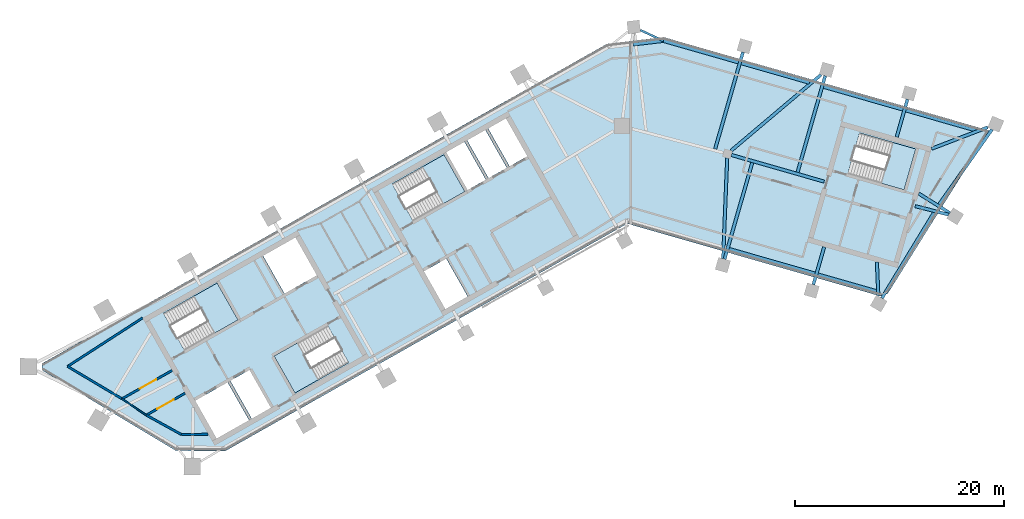
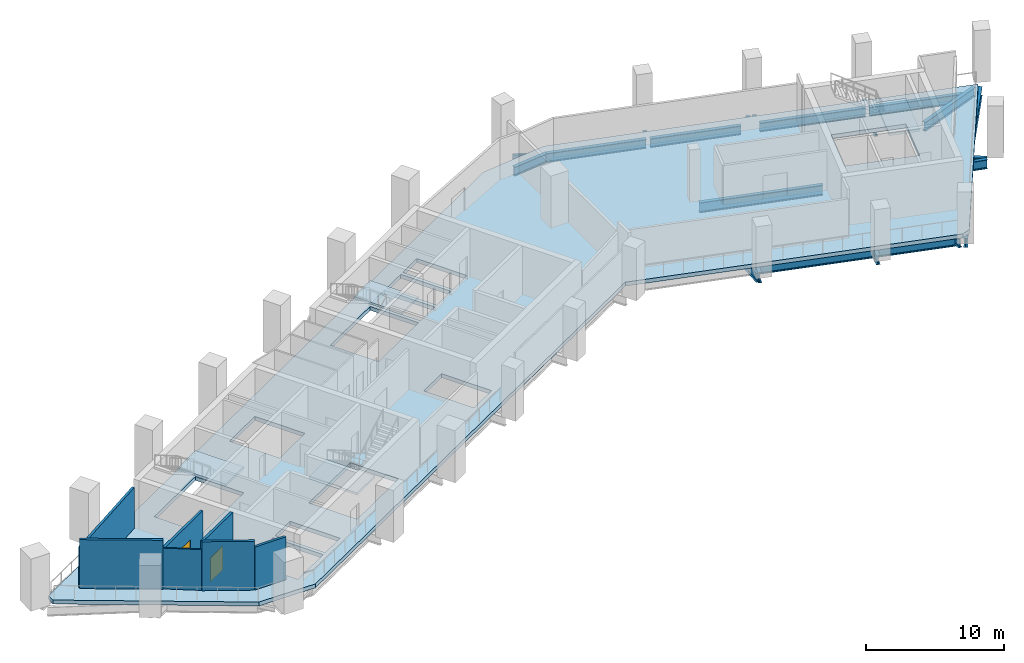
# One storey, part 2 of 8: 22 beams, 7 walls, 5 slabs, 2 doors, 2 openings, 4 elements without a shape of their own.
"""IFC4 building model written with IfcOpenShell, lengths in metres."""

from ifc_helpers import new_model, si_unit, direction, frame, frame_2d, origin, origin_2d, place, context, subcontext, project, spatial, polyline, rectangle, i_section, outline, extrude, material, layer, layer_set, material_profile, profile_set, type_object, element, fill, aggregate, save


model = new_model("IFC4")

# Units and contexts
model_context = context("Model", 3, precision=1e-05, world=origin(), true_north=direction((0.0, 1.0)))
body_context = subcontext(model_context, "Body", "Model", "MODEL_VIEW")
ifc_project = project(units=[si_unit("LENGTHUNIT", "METRE"), si_unit("AREAUNIT", "SQUARE_METRE"), si_unit("VOLUMEUNIT", "CUBIC_METRE"), si_unit("PLANEANGLEUNIT", "RADIAN"), si_unit("MASSUNIT", "GRAM", prefix="KILO")], contexts=[model_context])

# Site, building, storey
site_placement = place(None, origin())
site = spatial("IfcSite", under=ifc_project, at=site_placement, CompositionType="ELEMENT")
building_placement = place(site_placement, origin())
building = spatial("IfcBuilding", under=site, at=building_placement, Name="Binnacle Exchange Tower", CompositionType="ELEMENT")
storey_placement = place(building_placement, frame((0.0, 0.0, 202.89990234375)))
storey = spatial("IfcBuildingStorey", under=building, at=storey_placement, Name="L44", CompositionType="ELEMENT", Elevation=202.89990234375)

# Beams
ifc_material_1 = material(Name="Steel S355 (SHN355)", Category="steel")
ifc_material_profile_1 = material_profile(ifc_material_1, i_section(OverallWidth=0.300048828125, OverallDepth=0.800048828125, WebThickness=0.013916015625, FlangeThickness=0.02587890625, FilletRadius=0.028076171875, at=origin_2d()), Name="H 800x300x14x26")
ifc_profile_set_1 = profile_set([ifc_material_profile_1], Name="Steel S355 (SHN355)")
beam_type_1 = type_object("IfcBeamType", Name="Edge girder H 800x300x14x26 Steel S355 (SHN355)", PredefinedType="SPANDREL", material=ifc_profile_set_1)
beam_1_placement = place(storey_placement, frame((0.244384765625, 67.796142578125, -0.75), z_axis=(0.993067190116, 0.117548100429, 0.0), x_axis=(-0.117548100429, 0.993067190116, 0.0)))
element("IfcBeam", 1, at=beam_1_placement, inside=storey, type_object=beam_type_1, Name="S:BM:edge:L44:028", PredefinedType="SPANDREL", context=body_context, shape_type="SweptSolid", body=[
    extrude(i_section(OverallWidth=0.300048828125, OverallDepth=0.800048828125, WebThickness=0.013916015625, FlangeThickness=0.02587890625, FilletRadius=0.028076171875, at=origin_2d()), origin(), (0.0, 0.0, 1.0), 2.90576171875),
])
beam_2_placement = place(storey_placement, frame((3.1298828125, 68.1376953125, -0.75), z_axis=(0.96125760514, -0.275651621726, 0.0), x_axis=(0.275651621726, 0.96125760514, 0.0)))
element("IfcBeam", 2, at=beam_2_placement, inside=storey, type_object=beam_type_1, Name="S:BM:edge:L44:029", PredefinedType="SPANDREL", context=body_context, shape_type="SweptSolid", body=[
    extrude(i_section(OverallWidth=0.300048828125, OverallDepth=0.800048828125, WebThickness=0.013916015625, FlangeThickness=0.02587890625, FilletRadius=0.028076171875, at=origin_2d()), origin(), (0.0, 0.0, 1.0), 7.449462890625),
])
beam_3_placement = place(storey_placement, frame((10.5791015625, 66.001708984375, -0.75), z_axis=(0.961253963763, -0.275664319689, 0.0), x_axis=(0.275664319689, 0.961253963763, 0.0)))
element("IfcBeam", 3, at=beam_3_placement, inside=storey, type_object=beam_type_1, Name="S:BM:edge:L44:031", PredefinedType="SPANDREL", context=body_context, shape_type="SweptSolid", body=[
    extrude(i_section(OverallWidth=0.300048828125, OverallDepth=0.800048828125, WebThickness=0.013916015625, FlangeThickness=0.02587890625, FilletRadius=0.028076171875, at=origin_2d()), origin(), (0.0, 0.0, 1.0), 6.76806640625),
])
beam_4_placement = place(storey_placement, frame((17.5986328125, 45.91845703125, -0.75), z_axis=(-0.961262916114, 0.275633100522, 0.0), x_axis=(-0.275633100522, -0.961262916114, 0.0)))
element("IfcBeam", 4, at=beam_4_placement, inside=storey, type_object=beam_type_1, Name="S:BM:edge:L44:032", PredefinedType="SPANDREL", context=body_context, shape_type="SweptSolid", body=[
    extrude(i_section(OverallWidth=0.300048828125, OverallDepth=0.800048828125, WebThickness=0.013916015625, FlangeThickness=0.02587890625, FilletRadius=0.028076171875, at=origin_2d()), origin(), (0.0, 0.0, 1.0), 8.52001953125),
])
beam_5_placement = place(storey_placement, frame((18.435546875, 63.748779296875, -0.75), z_axis=(0.961266079083, -0.275622069517, 0.0), x_axis=(0.275622069517, 0.961266079083, 0.0)))
element("IfcBeam", 5, at=beam_5_placement, inside=storey, type_object=beam_type_1, Name="S:BM:edge:L44:033", PredefinedType="SPANDREL", context=body_context, shape_type="SweptSolid", body=[
    extrude(i_section(OverallWidth=0.300048828125, OverallDepth=0.800048828125, WebThickness=0.013916015625, FlangeThickness=0.02587890625, FilletRadius=0.028076171875, at=origin_2d()), origin(), (0.0, 0.0, 1.0), 7.872802734375),
])
beam_6_placement = place(storey_placement, frame((23.4970703125, 44.227294921875, -0.75), z_axis=(-0.961270956147, 0.275605059583, 0.0), x_axis=(-0.275605059583, -0.961270956147, 0.0)))
element("IfcBeam", 6, at=beam_6_placement, inside=storey, type_object=beam_type_1, Name="S:BM:edge:L44:034", PredefinedType="SPANDREL", context=body_context, shape_type="SweptSolid", body=[
    extrude(i_section(OverallWidth=0.300048828125, OverallDepth=0.800048828125, WebThickness=0.013916015625, FlangeThickness=0.02587890625, FilletRadius=0.028076171875, at=origin_2d()), origin(), (0.0, 0.0, 1.0), 5.8359375),
])
beam_7_placement = place(storey_placement, frame((26.2919921875, 61.49609375, -0.75), z_axis=(0.961255890252, -0.275657601845, 0.0), x_axis=(0.275657601845, 0.961255890252, 0.0)))
element("IfcBeam", 7, at=beam_7_placement, inside=storey, type_object=beam_type_1, Name="S:BM:edge:L44:035", PredefinedType="SPANDREL", context=body_context, shape_type="SweptSolid", body=[
    extrude(i_section(OverallWidth=0.300048828125, OverallDepth=0.800048828125, WebThickness=0.013916015625, FlangeThickness=0.02587890625, FilletRadius=0.028076171875, at=origin_2d()), origin(), (0.0, 0.0, 1.0), 6.98876953125),
])
beam_8_placement = place(storey_placement, frame((28.97607421875, 51.74951171875, -0.75), z_axis=(-0.519821476816, -0.854274916079, 0.0), x_axis=(0.854274916079, -0.519821476816, 0.0)))
element("IfcBeam", 8, at=beam_8_placement, inside=storey, type_object=beam_type_1, Name="S:BM:edge:L44:036", PredefinedType="SPANDREL", context=body_context, shape_type="SweptSolid", body=[
    extrude(i_section(OverallWidth=0.300048828125, OverallDepth=0.800048828125, WebThickness=0.013916015625, FlangeThickness=0.02587890625, FilletRadius=0.028076171875, at=origin_2d()), origin(), (0.0, 0.0, 1.0), 9.568359375),
])
beam_9_placement = place(storey_placement, frame((34.515869140625, 59.684814453125, -0.75), z_axis=(-0.576742214666, -0.816926200965, 0.0), x_axis=(0.816926200965, -0.576742214666, 0.0)))
element("IfcBeam", 9, at=beam_9_placement, inside=storey, type_object=beam_type_1, Name="S:BM:edge:L44:037", PredefinedType="SPANDREL", context=body_context, shape_type="SweptSolid", body=[
    extrude(i_section(OverallWidth=0.300048828125, OverallDepth=0.800048828125, WebThickness=0.013916015625, FlangeThickness=0.02587890625, FilletRadius=0.028076171875, at=origin_2d()), origin(), (0.0, 0.0, 1.0), 8.77001953125),
])
ifc_material_profile_2 = material_profile(ifc_material_1, i_section(OverallWidth=0.199951171875, OverallDepth=0.39990234375, WebThickness=0.008056640625, FlangeThickness=0.012939453125, FilletRadius=0.01611328125, at=origin_2d()), Name="H 400x200x8x13")
ifc_profile_set_2 = profile_set([ifc_material_profile_2], Name="Steel S355 (SHN355)")
beam_type_2 = type_object("IfcBeamType", Name="Floor beam H 400x200x8x13 Steel S355 (SHN355)", PredefinedType="BEAM", material=ifc_profile_set_2)
beam_10_placement = place(storey_placement, frame((0.939697265625, 69.164306640625, -0.5498046875), z_axis=(0.905464996662, -0.42442094649, 0.0), x_axis=(0.42442094649, 0.905464996662, 0.0)))
element("IfcBeam", 10, at=beam_10_placement, inside=storey, type_object=beam_type_2, Name="S:BM:cross:L44:055", PredefinedType="BEAM", context=body_context, shape_type="SweptSolid", body=[
    extrude(i_section(OverallWidth=0.199951171875, OverallDepth=0.39990234375, WebThickness=0.008056640625, FlangeThickness=0.012939453125, FilletRadius=0.01611328125, at=origin_2d()), origin(), (0.0, 0.0, 1.0), 2.4189453125),
])
ifc_material_profile_3 = material_profile(ifc_material_1, i_section(OverallWidth=0.300048828125, OverallDepth=0.800048828125, WebThickness=0.013916015625, FlangeThickness=0.02587890625, FilletRadius=0.028076171875, at=origin_2d()), Name="H 800x300x14x26")
ifc_profile_set_3 = profile_set([ifc_material_profile_3], Name="Steel S355 (SHN355)")
beam_type_3 = type_object("IfcBeamType", Name="Floor beam H 800x300x14x26 Steel S355 (SHN355)", PredefinedType="BEAM", material=ifc_profile_set_3)
beam_11_placement = place(storey_placement, frame((17.45361328125, 44.867919921875, -0.75), z_axis=(0.275644746045, 0.961259576794, 0.0), x_axis=(-0.961259576794, 0.275644746045, 0.0)))
element("IfcBeam", 11, at=beam_11_placement, inside=storey, type_object=beam_type_3, Name="S:BM:cross:L44:058", PredefinedType="BEAM", context=body_context, shape_type="SweptSolid", body=[
    extrude(i_section(OverallWidth=0.300048828125, OverallDepth=0.800048828125, WebThickness=0.013916015625, FlangeThickness=0.02587890625, FilletRadius=0.028076171875, at=origin_2d()), origin(), (0.0, 0.0, 1.0), 3.735107421875),
])
beam_12_placement = place(storey_placement, frame((23.658935546875, 43.774169921875, -0.75), z_axis=(-0.043580945654, 0.999049899242, 0.0), x_axis=(-0.999049899242, -0.043580945654, 0.0)))
element("IfcBeam", 12, at=beam_12_placement, inside=storey, type_object=beam_type_3, Name="S:BM:cross:L44:060", PredefinedType="BEAM", context=body_context, shape_type="SweptSolid", body=[
    extrude(i_section(OverallWidth=0.300048828125, OverallDepth=0.800048828125, WebThickness=0.013916015625, FlangeThickness=0.02587890625, FilletRadius=0.028076171875, at=origin_2d()), origin(), (0.0, 0.0, 1.0), 3.24365234375),
])
beam_13_placement = place(storey_placement, frame((26.437255859375, 62.546630859375, -0.75), z_axis=(-0.275644746045, -0.961259576794, 0.0), x_axis=(0.961259576794, -0.275644746045, 0.0)))
element("IfcBeam", 13, at=beam_13_placement, inside=storey, type_object=beam_type_3, Name="S:BM:cross:L44:061", PredefinedType="BEAM", context=body_context, shape_type="SweptSolid", body=[
    extrude(i_section(OverallWidth=0.300048828125, OverallDepth=0.800048828125, WebThickness=0.013916015625, FlangeThickness=0.02587890625, FilletRadius=0.028076171875, at=origin_2d()), origin(), (0.0, 0.0, 1.0), 3.735107421875),
])
beam_14_placement = place(storey_placement, frame((30.480712890625, 51.704345703125, -0.75), z_axis=(-0.848084620748, 0.529860808186, 0.0), x_axis=(-0.529860808186, -0.848084620748, 0.0)))
element("IfcBeam", 14, at=beam_14_placement, inside=storey, type_object=beam_type_3, Name="S:BM:cross:L44:062", PredefinedType="BEAM", context=body_context, shape_type="SweptSolid", body=[
    extrude(i_section(OverallWidth=0.300048828125, OverallDepth=0.800048828125, WebThickness=0.013916015625, FlangeThickness=0.02587890625, FilletRadius=0.028076171875, at=origin_2d()), origin(), (0.0, 0.0, 1.0), 3.495361328125),
])
beam_15_placement = place(storey_placement, frame((34.095947265625, 59.889892578125, -0.75), z_axis=(-0.933569299598, -0.358396934765, 0.0), x_axis=(0.358396934765, -0.933569299598, 0.0)))
element("IfcBeam", 15, at=beam_15_placement, inside=storey, type_object=beam_type_3, Name="S:BM:cross:L44:063", PredefinedType="BEAM", context=body_context, shape_type="SweptSolid", body=[
    extrude(i_section(OverallWidth=0.300048828125, OverallDepth=0.800048828125, WebThickness=0.013916015625, FlangeThickness=0.02587890625, FilletRadius=0.028076171875, at=origin_2d()), origin(), (0.0, 0.0, 1.0), 5.733642578125),
])
ifc_material_profile_4 = material_profile(ifc_material_1, i_section(OverallWidth=0.302001953125, OverallDepth=0.912109375, WebThickness=0.01806640625, FlangeThickness=0.033935546875, FilletRadius=0.028076171875, at=origin_2d()), Name="H 912x302x18x34")
ifc_profile_set_4 = profile_set([ifc_material_profile_4], Name="Steel S355 (SHN355)")
beam_type_4 = type_object("IfcBeamType", Name="Floor beam H 912x302x18x34 Steel S355 (SHN355)", PredefinedType="BEAM", material=ifc_profile_set_4)
beam_16_placement = place(storey_placement, frame((8.974853515625, 47.299072265625, -0.805908203125), z_axis=(0.275642748758, 0.961260149521, 0.0), x_axis=(-0.961260149521, 0.275642748758, 0.0)))
element("IfcBeam", 16, at=beam_16_placement, inside=storey, type_object=beam_type_4, Name="S:BM:cross:L44:056", PredefinedType="BEAM", context=body_context, shape_type="SweptSolid", body=[
    extrude(i_section(OverallWidth=0.302001953125, OverallDepth=0.912109375, WebThickness=0.01806640625, FlangeThickness=0.033935546875, FilletRadius=0.028076171875, at=origin_2d()), origin(), (0.0, 0.0, 1.0), 9.585205078125),
])
beam_17_placement = place(storey_placement, frame((10.724609375, 67.05224609375, -0.805908203125), z_axis=(-0.275623285325, -0.961265730475, 0.0), x_axis=(0.961265730475, -0.275623285325, 0.0)))
element("IfcBeam", 17, at=beam_17_placement, inside=storey, type_object=beam_type_4, Name="S:BM:cross:L44:057", PredefinedType="BEAM", context=body_context, shape_type="SweptSolid", body=[
    extrude(i_section(OverallWidth=0.302001953125, OverallDepth=0.912109375, WebThickness=0.01806640625, FlangeThickness=0.033935546875, FilletRadius=0.028076171875, at=origin_2d()), origin(), (0.0, 0.0, 1.0), 9.61328125),
])
beam_18_placement = place(storey_placement, frame((18.580810546875, 64.79931640625, -0.805908203125), z_axis=(-0.275625961623, -0.961264963098, 0.0), x_axis=(0.961264963098, -0.275625961623, 0.0)))
element("IfcBeam", 18, at=beam_18_placement, inside=storey, type_object=beam_type_4, Name="S:BM:cross:L44:059", PredefinedType="BEAM", context=body_context, shape_type="SweptSolid", body=[
    extrude(i_section(OverallWidth=0.302001953125, OverallDepth=0.912109375, WebThickness=0.01806640625, FlangeThickness=0.033935546875, FilletRadius=0.028076171875, at=origin_2d()), origin(), (0.0, 0.0, 1.0), 9.5849609375),
])
ifc_material_profile_5 = material_profile(ifc_material_1, i_section(OverallWidth=0.300048828125, OverallDepth=0.800048828125, WebThickness=0.013916015625, FlangeThickness=0.02587890625, FilletRadius=0.028076171875, at=origin_2d()), Name="H 800x300x14x26")
ifc_profile_set_5 = profile_set([ifc_material_profile_5], Name="Steel S355 (SHN355)")
beam_type_5 = type_object("IfcBeamType", Name="Spine girder H 800x300x14x26 Steel S355 (SHN355)", PredefinedType="BEAM", material=ifc_profile_set_5)
beam_19_placement = place(storey_placement, frame((9.22412109375, 56.93896484375, -0.75), z_axis=(-0.040556634715, -0.999177241224, 0.0), x_axis=(0.999177241224, -0.040556634715, 0.0)))
element("IfcBeam", 19, at=beam_19_placement, inside=storey, type_object=beam_type_5, Name="S:BM:spine:L44:007", PredefinedType="BEAM", context=body_context, shape_type="SweptSolid", body=[
    extrude(i_section(OverallWidth=0.300048828125, OverallDepth=0.800048828125, WebThickness=0.013916015625, FlangeThickness=0.02587890625, FilletRadius=0.028076171875, at=origin_2d()), origin(), (0.0, 0.0, 1.0), 9.607421875),
])
beam_20_placement = place(storey_placement, frame((27.17138671875, 52.35400390625, -0.75), z_axis=(0.969342999561, -0.245711516217, 0.0), x_axis=(0.245711516217, 0.969342999561, 0.0)))
element("IfcBeam", 20, at=beam_20_placement, inside=storey, type_object=beam_type_5, Name="S:BM:spine:L44:010", PredefinedType="BEAM", context=body_context, shape_type="SweptSolid", body=[
    extrude(i_section(OverallWidth=0.300048828125, OverallDepth=0.800048828125, WebThickness=0.013916015625, FlangeThickness=0.02587890625, FilletRadius=0.028076171875, at=origin_2d()), origin(), (0.0, 0.0, 1.0), 3.30859375),
])
ifc_material_profile_6 = material_profile(ifc_material_1, i_section(OverallWidth=0.302001953125, OverallDepth=0.912109375, WebThickness=0.01806640625, FlangeThickness=0.033935546875, FilletRadius=0.028076171875, at=origin_2d()), Name="H 912x302x18x34")
ifc_profile_set_6 = profile_set([ifc_material_profile_6], Name="Steel S355 (SHN355)")
beam_type_6 = type_object("IfcBeamType", Name="Spine girder H 912x302x18x34 Steel S355 (SHN355)", PredefinedType="BEAM", material=ifc_profile_set_6)
beam_21_placement = place(storey_placement, frame((9.60888671875, 57.660888671875, -0.805908203125), z_axis=(0.764057522707, 0.645148124073, 0.0), x_axis=(-0.645148124073, 0.764057522707, 0.0)))
element("IfcBeam", 21, at=beam_21_placement, inside=storey, type_object=beam_type_6, Name="S:BM:spine:L44:008", PredefinedType="BEAM", context=body_context, shape_type="SweptSolid", body=[
    extrude(i_section(OverallWidth=0.302001953125, OverallDepth=0.912109375, WebThickness=0.01806640625, FlangeThickness=0.033935546875, FilletRadius=0.028076171875, at=origin_2d()), origin(), (0.0, 0.0, 1.0), 11.237060546875),
])
beam_22_placement = place(storey_placement, frame((9.62548828125, 57.239990234375, -0.805908203125), z_axis=(0.961259511383, -0.275644974153, 0.0), x_axis=(0.275644974153, 0.961259511383, 0.0)))
element("IfcBeam", 22, at=beam_22_placement, inside=storey, type_object=beam_type_6, Name="S:BM:spine:L44:009", PredefinedType="BEAM", context=body_context, shape_type="SweptSolid", body=[
    extrude(i_section(OverallWidth=0.302001953125, OverallDepth=0.912109375, WebThickness=0.01806640625, FlangeThickness=0.033935546875, FilletRadius=0.028076171875, at=origin_2d()), origin(), (0.0, 0.0, 1.0), 9.213134765625),
])

# Slab
ifc_material_2 = material(Name="Concrete C35/45", Category="concrete")
ifc_layer_1 = layer(ifc_material_2, 0.35009765625)
ifc_layer_set_1 = layer_set([ifc_layer_1], Name="Floor slab 350 Concrete C35/45")
slab_type_1 = type_object("IfcSlabType", Name="Floor slab 350 Concrete C35/45", PredefinedType="FLOOR", material=ifc_layer_set_1)
slab_1_placement = place(storey_placement, frame((0.0, 0.0, -0.349853515625)))
element("IfcSlab", 23, at=slab_1_placement, inside=storey, type_object=slab_type_1, Name="S:SL:L44:01", PredefinedType="FLOOR", context=body_context, shape_type="SweptSolid", body=[
    extrude(outline(polyline([(-56.197509765625, 36.683349609375), (-56.188720703125, 37.33740234375), (-2.2529296875, 67.85302734375), (3.15869140625, 68.493408203125), (34.27587890625, 59.57080078125), (24.55419921875, 44.0126953125), (23.879150390625, 43.75341796875), (-0.318603515625, 50.692138671875), (-38.74072265625, 28.953857421875), (-43.435791015625, 29.015380859375), (-56.197509765625, 36.683349609375)]), holes=[polyline([(-38.4794921875, 35.529296875), (-41.61279296875, 33.756591796875), (-39.544677734375, 30.10107421875), (-36.411376953125, 31.873779296875), (-38.4794921875, 35.529296875)]), polyline([(-36.390625, 36.711181640625), (-38.21826171875, 35.677001953125), (-36.150146484375, 32.021484375), (-34.322509765625, 33.0556640625), (-36.390625, 36.711181640625)]), polyline([(-32.04638671875, 34.515625), (-26.9287109375, 37.4111328125), (-28.923095703125, 40.93603515625), (-34.040771484375, 38.04052734375), (-32.04638671875, 34.515625)]), polyline([(-37.486572265625, 41.4912109375), (-39.480712890625, 45.01611328125), (-44.598388671875, 42.12060546875), (-42.604248046875, 38.595703125), (-37.486572265625, 41.4912109375)]), polyline([(-29.914306640625, 45.775390625), (-31.982666015625, 49.430908203125), (-35.115966796875, 47.657958984375), (-33.047607421875, 44.00244140625), (-29.914306640625, 45.775390625)]), polyline([(-17.81689453125, 57.27294921875), (-22.760498046875, 54.47607421875), (-20.76611328125, 50.950927734375), (-15.822509765625, 53.748046875), (-17.81689453125, 57.27294921875)]), polyline([(-15.53076171875, 43.6875), (-17.598876953125, 47.343017578125), (-19.77490234375, 46.11181640625), (-17.70654296875, 42.456298828125), (-15.53076171875, 43.6875)]), polyline([(-13.82080078125, 54.880615234375), (-15.888916015625, 58.5361328125), (-17.629638671875, 57.55126953125), (-15.5615234375, 53.895751953125), (-13.82080078125, 54.880615234375)]), polyline([(27.227783203125, 57.810302734375), (21.864013671875, 59.348388671875), (20.74755859375, 55.455078125), (26.111328125, 53.9169921875), (27.227783203125, 57.810302734375)]), polyline([(-11.819091796875, 56.01318359375), (-13.88720703125, 59.668701171875), (-15.6279296875, 58.683837890625), (-13.559814453125, 55.0283203125), (-11.819091796875, 56.01318359375)]), polyline([(-9.817138671875, 57.145751953125), (-11.885498046875, 60.80126953125), (-13.626220703125, 59.81640625), (-11.557861328125, 56.160888671875), (-9.817138671875, 57.145751953125)])]), origin(), (0.0, 0.0, 1.0), 0.349853515625),
])

# Stair, slab
stair_type = type_object("IfcStairType", Name="STAIR 26 RISERS 177", PredefinedType="HALF_TURN_STAIR", material=ifc_material_2)
stair_1_placement = place(storey_placement, origin())
stair_1 = element("IfcStair", 24, at=stair_1_placement, inside=storey, type_object=stair_type, Name="L44 Escape stair A1", PredefinedType="HALF_TURN_STAIR")
ifc_layer_2 = layer(ifc_material_2, 0.199951171875)
ifc_layer_set_2 = layer_set([ifc_layer_2], Name="STAIR LANDING 200")
slab_type_2 = type_object("IfcSlabType", Name="STAIR LANDING 200", PredefinedType="LANDING", material=ifc_layer_set_2)
slab_2_placement = place(storey_placement, frame((0.0, 0.0, 2.10009765625)))
slab_2 = element("IfcSlab", 25, at=slab_2_placement, type_object=slab_type_2, Name="STA1 landing 1", PredefinedType="LANDING", context=body_context, shape_type="SweptSolid", body=[
    extrude(outline(polyline([(-39.714599609375, 40.23046875), (-37.486572265625, 41.4912109375), (-39.48095703125, 45.01611328125), (-41.708984375, 43.755615234375), (-39.714599609375, 40.23046875)])), origin(), (0.0, 0.0, 1.0), 0.199951171875),
])
aggregate(stair_1, [slab_2])

stair_2_placement = place(storey_placement, origin())
stair_2 = element("IfcStair", 26, at=stair_2_placement, inside=storey, type_object=stair_type, Name="L44 Escape stair A2", PredefinedType="HALF_TURN_STAIR")
slab_3_placement = place(storey_placement, frame((0.0, 0.0, 2.10009765625)))
slab_3 = element("IfcSlab", 27, at=slab_3_placement, type_object=slab_type_2, Name="STA2 landing 1", PredefinedType="LANDING", context=body_context, shape_type="SweptSolid", body=[
    extrude(outline(polyline([(-31.8125, 39.30126953125), (-34.040771484375, 38.04052734375), (-32.04638671875, 34.515625), (-29.818359375, 35.7763671875), (-31.8125, 39.30126953125)])), origin(), (0.0, 0.0, 1.0), 0.199951171875),
])
aggregate(stair_2, [slab_3])

stair_3_placement = place(storey_placement, origin())
stair_3 = element("IfcStair", 28, at=stair_3_placement, inside=storey, type_object=stair_type, Name="L44 Escape stair C1", PredefinedType="HALF_TURN_STAIR")
slab_4_placement = place(storey_placement, frame((0.0, 0.0, 2.10009765625)))
slab_4 = element("IfcSlab", 29, at=slab_4_placement, type_object=slab_type_2, Name="STC1 landing 1", PredefinedType="LANDING", context=body_context, shape_type="SweptSolid", body=[
    extrude(outline(polyline([(-17.876708984375, 52.5859375), (-15.822509765625, 53.748046875), (-17.81689453125, 57.27294921875), (-19.870849609375, 56.11083984375), (-17.876708984375, 52.5859375)])), origin(), (0.0, 0.0, 1.0), 0.199951171875),
])
aggregate(stair_3, [slab_4])

stair_4_placement = place(storey_placement, origin())
stair_4 = element("IfcStair", 30, at=stair_4_placement, inside=storey, type_object=stair_type, Name="L44 Escape stair D1", PredefinedType="HALF_TURN_STAIR")
slab_5_placement = place(storey_placement, frame((0.0, 0.0, 2.10009765625)))
slab_5 = element("IfcSlab", 31, at=slab_5_placement, type_object=slab_type_2, Name="STD1 landing 1", PredefinedType="LANDING", context=body_context, shape_type="SweptSolid", body=[
    extrude(outline(polyline([(23.93896484375, 54.5400390625), (26.111328125, 53.917236328125), (27.227783203125, 57.810302734375), (25.05517578125, 58.43310546875), (23.93896484375, 54.5400390625)])), origin(), (0.0, 0.0, 1.0), 0.199951171875),
])
aggregate(stair_4, [slab_5])

# Walls
ifc_material_3 = material(Name="Masonry block wall", Category="masonry")
ifc_layer_3 = layer(ifc_material_3, 0.199951171875)
ifc_layer_set_3 = layer_set([ifc_layer_3], Name="Fire wall - block 200")
wall_type_1 = type_object("IfcWallType", Name="Fire wall - block 200", PredefinedType="PARTITIONING", material=ifc_layer_set_3)
wall_1_placement = place(storey_placement, frame((-53.760009765625, 37.052001953125, 0.0), z_axis=(0.0, 0.0, 1.0), x_axis=(0.859354145891, -0.511380926453, 0.0)))
element("IfcWall", 32, at=wall_1_placement, inside=storey, type_object=wall_type_1, Name="Partition W01", PredefinedType="PARTITIONING", context=body_context, shape_type="SweptSolid", body=[
    extrude(rectangle(XDim=6.04638671875, YDim=0.199951171875, at=frame_2d((3.023193359375, 0.0))), origin(), (0.0, 0.0, 1.0), 4.320068359375),
])
wall_2_placement = place(storey_placement, frame((-53.760009765625, 37.052001953125, 0.0), z_axis=(0.0, 0.0, 1.0), x_axis=(0.83989696129, 0.542745883831, 0.0)))
element("IfcWall", 33, at=wall_2_placement, inside=storey, type_object=wall_type_1, Name="Partition W02", PredefinedType="PARTITIONING", context=body_context, shape_type="SweptSolid", body=[
    extrude(rectangle(XDim=8.514404296875, YDim=0.199951171875, at=frame_2d((4.25732421875, 0.0))), origin(), (0.0, 0.0, 1.0), 3.60009765625),
])

# Wall, opening, door
wall_3_placement = place(storey_placement, frame((-48.56396484375, 33.9599609375, 0.0), z_axis=(0.0, 0.0, 1.0), x_axis=(0.870376753535, 0.492386339073, 0.0)))
wall_3 = element("IfcWall", 34, at=wall_3_placement, inside=storey, type_object=wall_type_1, Name="Partition W04", PredefinedType="PARTITIONING", context=body_context, shape_type="SweptSolid", body=[
    extrude(rectangle(XDim=5.499755859375, YDim=0.199951171875, at=frame_2d((2.75, 0.0))), origin(), (0.0, 0.0, 1.0), 3.60009765625),
])
opening_1_placement = place(wall_3_placement, frame((1.949951171875, 0.0, 0.0)))
opening_1 = element("IfcOpeningElement", 35, at=opening_1_placement, cuts=wall_3, Name="Opening DL44-01", PredefinedType="OPENING", context=body_context, shape_type="SweptSolid", body=[
    extrude(rectangle(XDim=1.800048828125, YDim=2.10009765625, at=frame_2d((0.89990234375, 1.050048828125))), frame((0.0, 0.10986328125, 0.0), z_axis=(0.0, -1.0, 0.0), x_axis=(1.0, 0.0, 0.0)), (0.0, 0.0, 1.0), 0.219970703125),
])
ifc_material_4 = material(Name="Steel door leaf", Category="steel")
door_type = type_object("IfcDoorType", Name="Fire door 1800", OperationType="NOTDEFINED", PredefinedType="DOOR", material=ifc_material_4)
door_1_placement = place(opening_1_placement, origin())
door_1 = element("IfcDoor", 36, at=door_1_placement, inside=storey, type_object=door_type, Name="Door DL44-01", OperationType="DOUBLE_DOOR_SINGLE_SWING", OverallHeight=2.10009765625, OverallWidth=1.800048828125, PredefinedType="DOOR", context=body_context, shape_type="SweptSolid", body=[
    extrude(rectangle(XDim=1.800048828125, YDim=2.10009765625, at=frame_2d((0.89990234375, 1.050048828125))), frame((0.0, 0.02490234375, 0.0), z_axis=(0.0, -1.0, 0.0), x_axis=(1.0, 0.0, 0.0)), (0.0, 0.0, 1.0), 0.050048828125),
])
fill(opening_1, door_1)

# Wall
wall_4_placement = place(storey_placement, frame((-46.2451171875, 32.39990234375, 0.0), z_axis=(0.0, 0.0, 1.0), x_axis=(0.875505825741, -0.483207563158, 0.0)))
element("IfcWall", 37, at=wall_4_placement, inside=storey, type_object=wall_type_1, Name="Partition W05", PredefinedType="PARTITIONING", context=body_context, shape_type="SweptSolid", body=[
    extrude(rectangle(XDim=3.816162109375, YDim=0.199951171875, at=frame_2d((1.908203125, 0.0))), origin(), (0.0, 0.0, 1.0), 4.320068359375),
])

# Wall, opening, door
wall_5_placement = place(storey_placement, frame((-46.2451171875, 32.39990234375, 0.0), z_axis=(0.0, 0.0, 1.0), x_axis=(0.870444050186, 0.492267361803, 0.0)))
wall_5 = element("IfcWall", 38, at=wall_5_placement, inside=storey, type_object=wall_type_1, Name="Partition W06", PredefinedType="PARTITIONING", context=body_context, shape_type="SweptSolid", body=[
    extrude(rectangle(XDim=4.249755859375, YDim=0.199951171875, at=frame_2d((2.125, 0.0))), origin(), (0.0, 0.0, 1.0), 4.320068359375),
])
opening_2_placement = place(wall_5_placement, frame((1.199951171875, 0.0, 0.0)))
opening_2 = element("IfcOpeningElement", 39, at=opening_2_placement, cuts=wall_5, Name="Opening DL44-02", PredefinedType="OPENING", context=body_context, shape_type="SweptSolid", body=[
    extrude(rectangle(XDim=1.800048828125, YDim=2.10009765625, at=frame_2d((0.89990234375, 1.050048828125))), frame((0.0, 0.10986328125, 0.0), z_axis=(0.0, -1.0, 0.0), x_axis=(1.0, 0.0, 0.0)), (0.0, 0.0, 1.0), 0.219970703125),
])
door_2_placement = place(opening_2_placement, frame((1.800048828125, 0.0, 0.0), z_axis=(0.0, 0.0, 1.0), x_axis=(-1.0, 0.0, 0.0)))
door_2 = element("IfcDoor", 40, at=door_2_placement, inside=storey, type_object=door_type, Name="Door DL44-02", OperationType="DOUBLE_DOOR_SINGLE_SWING", OverallHeight=2.10009765625, OverallWidth=1.800048828125, PredefinedType="DOOR", context=body_context, shape_type="SweptSolid", body=[
    extrude(rectangle(XDim=1.800048828125, YDim=2.10009765625, at=frame_2d((0.89990234375, 1.050048828125))), frame((0.0, 0.02490234375, 0.0), z_axis=(0.0, -1.0, 0.0), x_axis=(1.0, 0.0, 0.0)), (0.0, 0.0, 1.0), 0.050048828125),
])
fill(opening_2, door_2)

# Walls
wall_6_placement = place(storey_placement, frame((-42.904052734375, 30.555908203125, 0.0), z_axis=(0.0, 0.0, 1.0), x_axis=(0.999969755278, 0.007777437156, 0.0)))
element("IfcWall", 41, at=wall_6_placement, inside=storey, type_object=wall_type_1, Name="Partition W07", PredefinedType="PARTITIONING", context=body_context, shape_type="SweptSolid", body=[
    extrude(rectangle(XDim=2.573974609375, YDim=0.199951171875, at=frame_2d((1.287109375, 0.0))), origin(), (0.0, 0.0, 1.0), 3.794189453125),
])
ifc_material_5 = material(Name="Gypsum partition")
ifc_layer_4 = layer(ifc_material_5, 0.125)
ifc_layer_set_4 = layer_set([ifc_layer_4], Name="Partition 125")
wall_type_2 = type_object("IfcWallType", Name="Partition 125", PredefinedType="PARTITIONING", material=ifc_layer_set_4)
wall_7_placement = place(storey_placement, frame((-48.56396484375, 33.9599609375, 0.0), z_axis=(0.0, 0.0, 1.0), x_axis=(0.829704455742, -0.558202934533, 0.0)))
element("IfcWall", 42, at=wall_7_placement, inside=storey, type_object=wall_type_2, Name="Partition W03", PredefinedType="PARTITIONING", context=body_context, shape_type="SweptSolid", body=[
    extrude(rectangle(XDim=2.794677734375, YDim=0.125, at=frame_2d((1.3974609375, 0.0))), origin(), (0.0, 0.0, 1.0), 3.60009765625),
])

save(model, "model.ifc")
